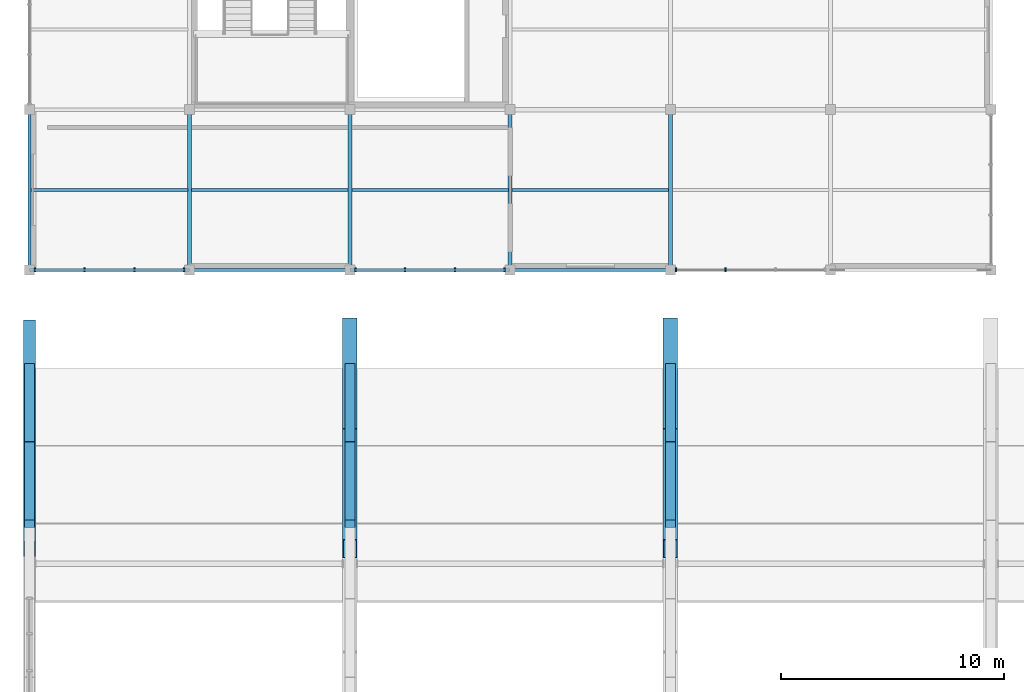
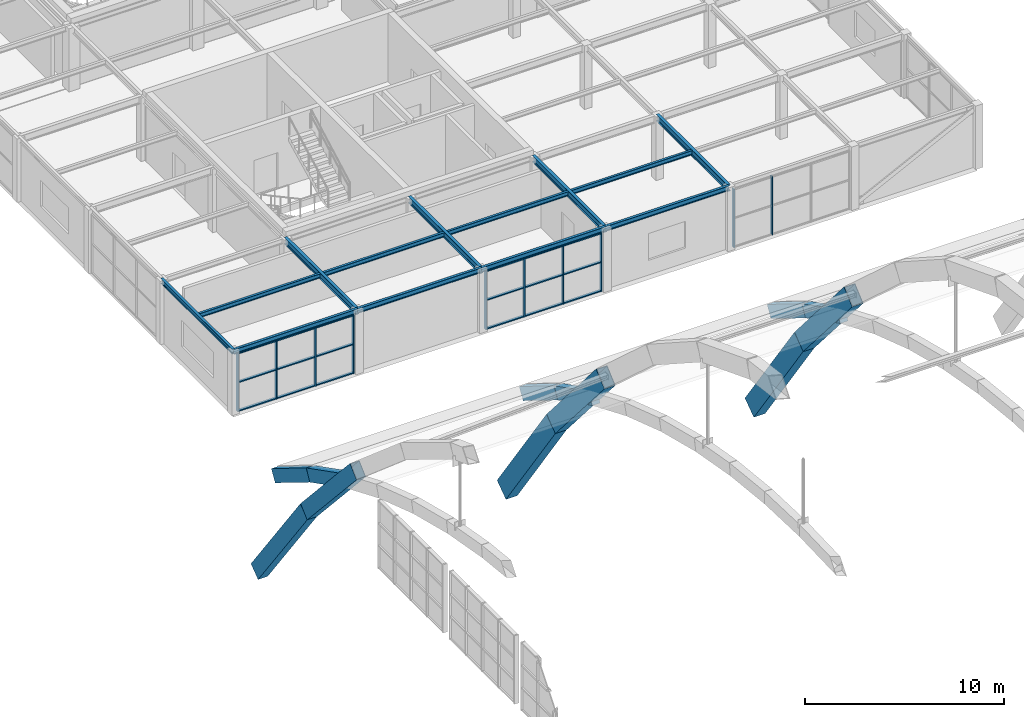
# One storey, part 15 of 64: 22 members, 19 beams, 3 elements without a shape of their own.
"""IFC4 building model written with IfcOpenShell, lengths in metres."""

from ifc_helpers import new_model, si_unit, direction, frame, origin, origin_2d, place, context, subcontext, project, spatial, rectangle, hollow_rectangle, i_section, extrude, material, material_profile, profile_set, type_object, element, aggregate, save


model = new_model("IFC4")

# Units and contexts
model_context = context("Model", 3, precision=1e-05, world=origin(), true_north=direction((0.0, 1.0)))
body_context = subcontext(model_context, "Body", "Model", "MODEL_VIEW")
ifc_project = project(units=[si_unit("LENGTHUNIT", "METRE"), si_unit("AREAUNIT", "SQUARE_METRE"), si_unit("VOLUMEUNIT", "CUBIC_METRE"), si_unit("PLANEANGLEUNIT", "RADIAN"), si_unit("MASSUNIT", "GRAM", prefix="KILO")], contexts=[model_context])

# Site, building, storey
site_placement = place(None, origin())
site = spatial("IfcSite", under=ifc_project, at=site_placement, CompositionType="ELEMENT")
building_placement = place(site_placement, origin())
building = spatial("IfcBuilding", under=site, at=building_placement, Name="Leyfeld Transit Interchange", CompositionType="ELEMENT")
storey_placement = place(building_placement, frame((0.0, 0.0, 9.60009765625)))
storey = spatial("IfcBuildingStorey", under=building, at=storey_placement, Name="L02", CompositionType="ELEMENT", Elevation=9.60009765625)

# Beams
ifc_material_1 = material(Name="Concrete C40/50", Category="concrete")
ifc_material_profile_1 = material_profile(ifc_material_1, rectangle(XDim=0.449951171875, YDim=0.75, at=origin_2d()), Name="RC 750x450 RIB")
ifc_profile_set_1 = profile_set([ifc_material_profile_1], Name="Concrete C40/50")
beam_type_1 = type_object("IfcBeamType", Name="BM-RIB-750x450", PredefinedType="USERDEFINED", material=ifc_profile_set_1)
beam_1_placement = place(storey_placement, frame((0.0, 53.39990234375, 2.81640625), z_axis=(0.0, 0.890316086289, -0.455343020694), x_axis=(-1.0, 0.0, 0.0)))
element("IfcBeam", 1, at=beam_1_placement, inside=storey, type_object=beam_type_1, Name="Concourse Vault Rib A1 Seg 15", ObjectType="ARCH_RIB", PredefinedType="USERDEFINED", context=body_context, shape_type="SweptSolid", body=[
    extrude(rectangle(XDim=0.449951171875, YDim=0.75, at=origin_2d()), origin(), (0.0, 0.0, 1.0), 3.93115234375),
])
beam_2_placement = place(storey_placement, frame((0.0, 56.89990234375, 1.0263671875), z_axis=(0.0, 0.850840137882, -0.525424647089), x_axis=(-1.0, 0.0, 0.0)))
element("IfcBeam", 2, at=beam_2_placement, inside=storey, type_object=beam_type_1, Name="Concourse Vault Rib A1 Seg 16", ObjectType="ARCH_RIB", PredefinedType="USERDEFINED", context=body_context, shape_type="SweptSolid", body=[
    extrude(rectangle(XDim=0.449951171875, YDim=0.75, at=origin_2d()), origin(), (0.0, 0.0, 1.0), 4.113525390625),
])
beam_3_placement = place(storey_placement, frame((14.39990234375, 53.39990234375, 2.81640625), z_axis=(0.0, 0.890316086289, -0.455343020694), x_axis=(-1.0, 0.0, 0.0)))
element("IfcBeam", 3, at=beam_3_placement, inside=storey, type_object=beam_type_1, Name="Concourse Vault Rib A2 Seg 15", ObjectType="ARCH_RIB", PredefinedType="USERDEFINED", context=body_context, shape_type="SweptSolid", body=[
    extrude(rectangle(XDim=0.449951171875, YDim=0.75, at=origin_2d()), origin(), (0.0, 0.0, 1.0), 3.93115234375),
])
beam_4_placement = place(storey_placement, frame((14.39990234375, 56.89990234375, 1.0263671875), z_axis=(0.0, 0.850840137882, -0.525424647089), x_axis=(-1.0, 0.0, 0.0)))
element("IfcBeam", 4, at=beam_4_placement, inside=storey, type_object=beam_type_1, Name="Concourse Vault Rib A2 Seg 16", ObjectType="ARCH_RIB", PredefinedType="USERDEFINED", context=body_context, shape_type="SweptSolid", body=[
    extrude(rectangle(XDim=0.449951171875, YDim=0.75, at=origin_2d()), origin(), (0.0, 0.0, 1.0), 4.113525390625),
])
beam_5_placement = place(storey_placement, frame((28.800048828125, 53.39990234375, 2.81640625), z_axis=(0.0, 0.890316086289, -0.455343020694), x_axis=(-1.0, 0.0, 0.0)))
element("IfcBeam", 5, at=beam_5_placement, inside=storey, type_object=beam_type_1, Name="Concourse Vault Rib A3 Seg 15", ObjectType="ARCH_RIB", PredefinedType="USERDEFINED", context=body_context, shape_type="SweptSolid", body=[
    extrude(rectangle(XDim=0.449951171875, YDim=0.75, at=origin_2d()), origin(), (0.0, 0.0, 1.0), 3.93115234375),
])
beam_6_placement = place(storey_placement, frame((28.800048828125, 56.89990234375, 1.0263671875), z_axis=(0.0, 0.850840137882, -0.525424647089), x_axis=(-1.0, 0.0, 0.0)))
element("IfcBeam", 6, at=beam_6_placement, inside=storey, type_object=beam_type_1, Name="Concourse Vault Rib A3 Seg 16", ObjectType="ARCH_RIB", PredefinedType="USERDEFINED", context=body_context, shape_type="SweptSolid", body=[
    extrude(rectangle(XDim=0.449951171875, YDim=0.75, at=origin_2d()), origin(), (0.0, 0.0, 1.0), 4.113525390625),
])
ifc_material_2 = material(Name="Steel S355J2", Category="steel")
ifc_material_profile_2 = material_profile(ifc_material_2, i_section(OverallWidth=0.135009765625, OverallDepth=0.27001953125, WebThickness=0.006591796875, FlangeThickness=0.01025390625, FilletRadius=0.014892578125, at=origin_2d()), Name="IPE 270")
ifc_profile_set_2 = profile_set([ifc_material_profile_2], Name="Steel S355J2")
beam_type_2 = type_object("IfcBeamType", Name="BM-STL-IPE270", PredefinedType="BEAM", material=ifc_profile_set_2)
beam_7_placement = place(storey_placement, frame((0.072021484375, 68.39990234375, 3.764892578125), z_axis=(1.0, 0.0, 0.0), x_axis=(0.0, 1.0, 0.0)))
element("IfcBeam", 7, at=beam_7_placement, inside=storey, type_object=beam_type_2, Name="Beam BM-L02-0001_0684-0071_0684", PredefinedType="BEAM", context=body_context, shape_type="SweptSolid", body=[
    extrude(i_section(OverallWidth=0.135009765625, OverallDepth=0.27001953125, WebThickness=0.006591796875, FlangeThickness=0.01025390625, FilletRadius=0.014892578125, at=origin_2d()), origin(), (0.0, 0.0, 1.0), 7.041015625),
])
for number, where, z_axis, x_axis, name in (
    (8, (7.287109375, 68.39990234375, 3.764892578125), (1.0, 0.0, 0.0), (0.0, 1.0, 0.0), "Beam BM-L02-0073_0684-0143_0684"),
    (9, (14.487060546875, 68.39990234375, 3.764892578125), (1.0, 0.0, 0.0), (0.0, 1.0, 0.0), "Beam BM-L02-0145_0684-0215_0684"),
    (10, (21.68701171875, 68.39990234375, 3.764892578125), (1.0, 0.0, 0.0), (0.0, 1.0, 0.0), "Beam BM-L02-0217_0684-0287_0684"),
):
    element("IfcBeam", number, at=place(storey_placement, frame(where, z_axis=z_axis, x_axis=x_axis)), inside=storey, type_object=beam_type_2, Name=name, PredefinedType="BEAM", context=body_context, shape_type="SweptSolid", body=[
        extrude(i_section(OverallWidth=0.135009765625, OverallDepth=0.27001953125, WebThickness=0.006591796875, FlangeThickness=0.01025390625, FilletRadius=0.014892578125, at=origin_2d()), origin(), (0.0, 0.0, 1.0), 7.02587890625),
    ])
ifc_material_profile_3 = material_profile(ifc_material_2, i_section(OverallWidth=0.14990234375, OverallDepth=0.300048828125, WebThickness=0.007080078125, FlangeThickness=0.0107421875, FilletRadius=0.014892578125, at=origin_2d()), Name="IPE 300")
ifc_profile_set_3 = profile_set([ifc_material_profile_3], Name="Steel S355J2")
beam_type_3 = type_object("IfcBeamType", Name="BM-STL-IPE300", PredefinedType="SPANDREL", material=ifc_profile_set_3)
for number, where, z_axis, x_axis, name in (
    (11, (0.0, 64.800048828125, 3.75), (0.0, 1.0, 0.0), (-1.0, 0.0, 0.0), "Beam BM-L02-0000_0648-0000_0720"),
    (12, (0.0, 64.800048828125, 3.75), (1.0, 0.0, 0.0), (0.0, 1.0, 0.0), "Beam BM-L02-0000_0648-0072_0648"),
    (13, (7.199951171875, 64.800048828125, 3.75), (1.0, 0.0, 0.0), (0.0, 1.0, 0.0), "Beam BM-L02-0072_0648-0144_0648"),
):
    element("IfcBeam", number, at=place(storey_placement, frame(where, z_axis=z_axis, x_axis=x_axis)), inside=storey, type_object=beam_type_3, Name=name, PredefinedType="SPANDREL", context=body_context, shape_type="SweptSolid", body=[
        extrude(i_section(OverallWidth=0.14990234375, OverallDepth=0.300048828125, WebThickness=0.007080078125, FlangeThickness=0.0107421875, FilletRadius=0.014892578125, at=origin_2d()), origin(), (0.0, 0.0, 1.0), 7.199951171875),
    ])
beam_8_placement = place(storey_placement, frame((14.39990234375, 64.800048828125, 3.75), z_axis=(1.0, 0.0, 0.0), x_axis=(0.0, 1.0, 0.0)))
element("IfcBeam", 14, at=beam_8_placement, inside=storey, type_object=beam_type_3, Name="Beam BM-L02-0144_0648-0216_0648", PredefinedType="SPANDREL", context=body_context, shape_type="SweptSolid", body=[
    extrude(i_section(OverallWidth=0.14990234375, OverallDepth=0.300048828125, WebThickness=0.007080078125, FlangeThickness=0.0107421875, FilletRadius=0.014892578125, at=origin_2d()), origin(), (0.0, 0.0, 1.0), 7.2001953125),
])
beam_9_placement = place(storey_placement, frame((21.60009765625, 64.800048828125, 3.75), z_axis=(1.0, 0.0, 0.0), x_axis=(0.0, 1.0, 0.0)))
element("IfcBeam", 15, at=beam_9_placement, inside=storey, type_object=beam_type_3, Name="Beam BM-L02-0216_0648-0288_0648", PredefinedType="SPANDREL", context=body_context, shape_type="SweptSolid", body=[
    extrude(i_section(OverallWidth=0.14990234375, OverallDepth=0.300048828125, WebThickness=0.007080078125, FlangeThickness=0.0107421875, FilletRadius=0.014892578125, at=origin_2d()), origin(), (0.0, 0.0, 1.0), 7.199951171875),
])
ifc_material_profile_4 = material_profile(ifc_material_2, i_section(OverallWidth=0.179931640625, OverallDepth=0.39990234375, WebThickness=0.008544921875, FlangeThickness=0.013427734375, FilletRadius=0.02099609375, at=origin_2d()), Name="IPE 400")
ifc_profile_set_4 = profile_set([ifc_material_profile_4], Name="Steel S355J2")
beam_type_4 = type_object("IfcBeamType", Name="BM-STL-IPE400", PredefinedType="BEAM", material=ifc_profile_set_4)
for number, where, z_axis, x_axis, name in (
    (16, (7.199951171875, 64.800048828125, 3.699951171875), (0.0, 1.0, 0.0), (-1.0, 0.0, 0.0), "Beam BM-L02-0072_0648-0072_0720"),
    (17, (14.39990234375, 64.800048828125, 3.699951171875), (0.0, 1.0, 0.0), (-1.0, 0.0, 0.0), "Beam BM-L02-0144_0648-0144_0720"),
    (18, (21.60009765625, 64.800048828125, 3.699951171875), (0.0, 1.0, 0.0), (-1.0, 0.0, 0.0), "Beam BM-L02-0216_0648-0216_0720"),
    (19, (28.800048828125, 64.800048828125, 3.699951171875), (0.0, 1.0, 0.0), (-1.0, 0.0, 0.0), "Beam BM-L02-0288_0648-0288_0720"),
):
    element("IfcBeam", number, at=place(storey_placement, frame(where, z_axis=z_axis, x_axis=x_axis)), inside=storey, type_object=beam_type_4, Name=name, PredefinedType="BEAM", context=body_context, shape_type="SweptSolid", body=[
        extrude(i_section(OverallWidth=0.179931640625, OverallDepth=0.39990234375, WebThickness=0.008544921875, FlangeThickness=0.013427734375, FilletRadius=0.02099609375, at=origin_2d()), origin(), (0.0, 0.0, 1.0), 7.199951171875),
    ])

# Curtain wall, members
ifc_material_3 = material(Name="Anodised aluminium EN AW-6060 T66", Category="aluminium")
curtain_wall_type = type_object("IfcCurtainWallType", Name="CW-SYS-CYC-7200", PredefinedType="NOTDEFINED", material=ifc_material_3)
curtain_wall_1_placement = place(storey_placement, origin())
curtain_wall_1 = element("IfcCurtainWall", 20, at=curtain_wall_1_placement, inside=storey, type_object=curtain_wall_type, Name="Curtain Wall CW-L02-107", PredefinedType="NOTDEFINED")
ifc_material_profile_5 = material_profile(ifc_material_3, rectangle(XDim=0.06494140625, YDim=0.179931640625, at=origin_2d()), Name="CW-M 65x180")
ifc_profile_set_5 = profile_set([ifc_material_profile_5], Name="Anodised aluminium EN AW-6060 T66")
member_type_1 = type_object("IfcMemberType", Name="CW-MUL-150x65", PredefinedType="MULLION", material=ifc_profile_set_5)
member_1_placement = place(storey_placement, frame((31.271728515625, 64.800048828125, 0.0), z_axis=(0.0, 0.0, 1.0), x_axis=(-1.0, 0.0, 0.0)))
member_1 = element("IfcMember", 21, at=member_1_placement, type_object=member_type_1, Name="Curtain Mullion CW-L02-107-M03", PredefinedType="MULLION", context=body_context, shape_type="SweptSolid", body=[
    extrude(rectangle(XDim=0.06494140625, YDim=0.179931640625, at=origin_2d()), origin(), (0.0, 0.0, 1.0), 3.599853515625),
])
member_2_placement = place(storey_placement, frame((29.047607421875, 64.800048828125, 0.0), z_axis=(0.0, 0.0, 1.0), x_axis=(-1.0, 0.0, 0.0)))
member_2 = element("IfcMember", 22, at=member_2_placement, type_object=member_type_1, Name="Curtain Mullion CW-L02-107-M04", PredefinedType="MULLION", context=body_context, shape_type="SweptSolid", body=[
    extrude(rectangle(XDim=0.06494140625, YDim=0.179931640625, at=origin_2d()), origin(), (0.0, 0.0, 1.0), 3.599853515625),
])
aggregate(curtain_wall_1, [member_1, member_2])

curtain_wall_2_placement = place(storey_placement, origin())
curtain_wall_2 = element("IfcCurtainWall", 23, at=curtain_wall_2_placement, inside=storey, type_object=curtain_wall_type, Name="Curtain Wall CW-L02-108", PredefinedType="NOTDEFINED")
member_3_placement = place(storey_placement, frame((21.3525390625, 64.800048828125, 0.0), z_axis=(0.0, 0.0, 1.0), x_axis=(-1.0, 0.0, 0.0)))
member_3 = element("IfcMember", 24, at=member_3_placement, type_object=member_type_1, Name="Curtain Mullion CW-L02-108-M01", PredefinedType="MULLION", context=body_context, shape_type="SweptSolid", body=[
    extrude(rectangle(XDim=0.06494140625, YDim=0.179931640625, at=origin_2d()), origin(), (0.0, 0.0, 1.0), 3.599853515625),
])
member_4_placement = place(storey_placement, frame((19.12841796875, 64.800048828125, 0.0), z_axis=(0.0, 0.0, 1.0), x_axis=(-1.0, 0.0, 0.0)))
member_4 = element("IfcMember", 25, at=member_4_placement, type_object=member_type_1, Name="Curtain Mullion CW-L02-108-M02", PredefinedType="MULLION", context=body_context, shape_type="SweptSolid", body=[
    extrude(rectangle(XDim=0.06494140625, YDim=0.179931640625, at=origin_2d()), origin(), (0.0, 0.0, 1.0), 3.599853515625),
])
member_5_placement = place(storey_placement, frame((16.87158203125, 64.800048828125, 0.0), z_axis=(0.0, 0.0, 1.0), x_axis=(-1.0, 0.0, 0.0)))
member_5 = element("IfcMember", 26, at=member_5_placement, type_object=member_type_1, Name="Curtain Mullion CW-L02-108-M03", PredefinedType="MULLION", context=body_context, shape_type="SweptSolid", body=[
    extrude(rectangle(XDim=0.06494140625, YDim=0.179931640625, at=origin_2d()), origin(), (0.0, 0.0, 1.0), 3.599853515625),
])
member_6_placement = place(storey_placement, frame((14.6474609375, 64.800048828125, 0.0), z_axis=(0.0, 0.0, 1.0), x_axis=(-1.0, 0.0, 0.0)))
member_6 = element("IfcMember", 27, at=member_6_placement, type_object=member_type_1, Name="Curtain Mullion CW-L02-108-M04", PredefinedType="MULLION", context=body_context, shape_type="SweptSolid", body=[
    extrude(rectangle(XDim=0.06494140625, YDim=0.179931640625, at=origin_2d()), origin(), (0.0, 0.0, 1.0), 3.599853515625),
])

curtain_wall_3_placement = place(storey_placement, origin())
curtain_wall_3 = element("IfcCurtainWall", 28, at=curtain_wall_3_placement, inside=storey, type_object=curtain_wall_type, Name="Curtain Wall CW-L02-109", PredefinedType="NOTDEFINED")
member_7_placement = place(storey_placement, frame((6.952392578125, 64.800048828125, 0.0), z_axis=(0.0, 0.0, 1.0), x_axis=(-1.0, 0.0, 0.0)))
member_7 = element("IfcMember", 29, at=member_7_placement, type_object=member_type_1, Name="Curtain Mullion CW-L02-109-M01", PredefinedType="MULLION", context=body_context, shape_type="SweptSolid", body=[
    extrude(rectangle(XDim=0.06494140625, YDim=0.179931640625, at=origin_2d()), origin(), (0.0, 0.0, 1.0), 3.599853515625),
])
member_8_placement = place(storey_placement, frame((4.728271484375, 64.800048828125, 0.0), z_axis=(0.0, 0.0, 1.0), x_axis=(-1.0, 0.0, 0.0)))
member_8 = element("IfcMember", 30, at=member_8_placement, type_object=member_type_1, Name="Curtain Mullion CW-L02-109-M02", PredefinedType="MULLION", context=body_context, shape_type="SweptSolid", body=[
    extrude(rectangle(XDim=0.06494140625, YDim=0.179931640625, at=origin_2d()), origin(), (0.0, 0.0, 1.0), 3.599853515625),
])
member_9_placement = place(storey_placement, frame((2.4716796875, 64.800048828125, 0.0), z_axis=(0.0, 0.0, 1.0), x_axis=(-1.0, 0.0, 0.0)))
member_9 = element("IfcMember", 31, at=member_9_placement, type_object=member_type_1, Name="Curtain Mullion CW-L02-109-M03", PredefinedType="MULLION", context=body_context, shape_type="SweptSolid", body=[
    extrude(rectangle(XDim=0.06494140625, YDim=0.179931640625, at=origin_2d()), origin(), (0.0, 0.0, 1.0), 3.599853515625),
])
member_10_placement = place(storey_placement, frame((0.24755859375, 64.800048828125, 0.0), z_axis=(0.0, 0.0, 1.0), x_axis=(-1.0, 0.0, 0.0)))
member_10 = element("IfcMember", 32, at=member_10_placement, type_object=member_type_1, Name="Curtain Mullion CW-L02-109-M04", PredefinedType="MULLION", context=body_context, shape_type="SweptSolid", body=[
    extrude(rectangle(XDim=0.06494140625, YDim=0.179931640625, at=origin_2d()), origin(), (0.0, 0.0, 1.0), 3.599853515625),
])

# Member
ifc_material_profile_6 = material_profile(ifc_material_3, rectangle(XDim=0.14990234375, YDim=0.06494140625, at=origin_2d()), Name="CW-TRN-135x65")
ifc_profile_set_6 = profile_set([ifc_material_profile_6], Name="Anodised aluminium EN AW-6060 T66")
member_type_2 = type_object("IfcMemberType", Name="CW-TRN-135x65", PredefinedType="USERDEFINED", material=ifc_profile_set_6)
member_11_placement = place(storey_placement, frame((21.385009765625, 64.800048828125, 0.032470703125), z_axis=(-1.0, 0.0, 0.0), x_axis=(0.0, -1.0, 0.0)))
member_11 = element("IfcMember", 33, at=member_11_placement, type_object=member_type_2, Name="Curtain Transom CW-L02-108-T01", ObjectType="TRANSOM", PredefinedType="USERDEFINED", context=body_context, shape_type="SweptSolid", body=[
    extrude(rectangle(XDim=0.14990234375, YDim=0.06494140625, at=origin_2d()), origin(), (0.0, 0.0, 1.0), 6.77001953125),
])

member_12_placement = place(storey_placement, frame((21.385009765625, 64.800048828125, 1.7998046875), z_axis=(-1.0, 0.0, 0.0), x_axis=(0.0, -1.0, 0.0)))
member_12 = element("IfcMember", 34, at=member_12_placement, type_object=member_type_2, Name="Curtain Transom CW-L02-108-T02", ObjectType="TRANSOM", PredefinedType="USERDEFINED", context=body_context, shape_type="SweptSolid", body=[
    extrude(rectangle(XDim=0.14990234375, YDim=0.06494140625, at=origin_2d()), origin(), (0.0, 0.0, 1.0), 6.77001953125),
])

member_13_placement = place(storey_placement, frame((21.385009765625, 64.800048828125, 3.5673828125), z_axis=(-1.0, 0.0, 0.0), x_axis=(0.0, -1.0, 0.0)))
member_13 = element("IfcMember", 35, at=member_13_placement, type_object=member_type_2, Name="Curtain Transom CW-L02-108-T03", ObjectType="TRANSOM", PredefinedType="USERDEFINED", context=body_context, shape_type="SweptSolid", body=[
    extrude(rectangle(XDim=0.14990234375, YDim=0.06494140625, at=origin_2d()), origin(), (0.0, 0.0, 1.0), 6.77001953125),
])

aggregate(curtain_wall_2, [member_3, member_4, member_5, member_6, member_11, member_12, member_13])

member_14_placement = place(storey_placement, frame((6.985107421875, 64.800048828125, 0.032470703125), z_axis=(-1.0, 0.0, 0.0), x_axis=(0.0, -1.0, 0.0)))
member_14 = element("IfcMember", 36, at=member_14_placement, type_object=member_type_2, Name="Curtain Transom CW-L02-109-T01", ObjectType="TRANSOM", PredefinedType="USERDEFINED", context=body_context, shape_type="SweptSolid", body=[
    extrude(rectangle(XDim=0.14990234375, YDim=0.06494140625, at=origin_2d()), origin(), (0.0, 0.0, 1.0), 6.77001953125),
])

member_15_placement = place(storey_placement, frame((6.985107421875, 64.800048828125, 1.7998046875), z_axis=(-1.0, 0.0, 0.0), x_axis=(0.0, -1.0, 0.0)))
member_15 = element("IfcMember", 37, at=member_15_placement, type_object=member_type_2, Name="Curtain Transom CW-L02-109-T02", ObjectType="TRANSOM", PredefinedType="USERDEFINED", context=body_context, shape_type="SweptSolid", body=[
    extrude(rectangle(XDim=0.14990234375, YDim=0.06494140625, at=origin_2d()), origin(), (0.0, 0.0, 1.0), 6.77001953125),
])

member_16_placement = place(storey_placement, frame((6.985107421875, 64.800048828125, 3.5673828125), z_axis=(-1.0, 0.0, 0.0), x_axis=(0.0, -1.0, 0.0)))
member_16 = element("IfcMember", 38, at=member_16_placement, type_object=member_type_2, Name="Curtain Transom CW-L02-109-T03", ObjectType="TRANSOM", PredefinedType="USERDEFINED", context=body_context, shape_type="SweptSolid", body=[
    extrude(rectangle(XDim=0.14990234375, YDim=0.06494140625, at=origin_2d()), origin(), (0.0, 0.0, 1.0), 6.77001953125),
])

aggregate(curtain_wall_3, [member_7, member_8, member_9, member_10, member_14, member_15, member_16])

# Members
ifc_material_4 = material(Name="Steel S355J2 - Ochre Arch", Category="steel")
ifc_material_profile_7 = material_profile(ifc_material_4, hollow_rectangle(XDim=0.64990234375, YDim=1.10009765625, WallThickness=0.035888671875, at=origin_2d()), Name="RHS 1100x650x36")
ifc_profile_set_7 = profile_set([ifc_material_profile_7], Name="Steel S355J2 - Ochre Arch")
member_type_3 = type_object("IfcMemberType", Name="MEM-ARCH-1100", PredefinedType="USERDEFINED", material=ifc_profile_set_7)
member_17_placement = place(storey_placement, frame((14.39990234375, 52.2666015625, 4.733154296875), z_axis=(0.0, 0.652068011337, -0.758160476807), x_axis=(-1.0, 0.0, 0.0)))
element("IfcMember", 39, at=member_17_placement, inside=storey, type_object=member_type_3, Name="Primary Steel Arch AR-01 Seg 11", ObjectType="ARCH_SEGMENT", PredefinedType="USERDEFINED", context=body_context, shape_type="SweptSolid", body=[
    extrude(hollow_rectangle(XDim=0.64990234375, YDim=1.10009765625, WallThickness=0.035888671875, at=origin_2d()), origin(), (0.0, 0.0, 1.0), 7.616943359375),
])
member_18_placement = place(storey_placement, frame((14.39990234375, 57.2333984375, -1.041748046875), z_axis=(0.0, 0.575459771691, -0.817830086977), x_axis=(-1.0, 0.0, 0.0)))
element("IfcMember", 40, at=member_18_placement, inside=storey, type_object=member_type_3, Name="Primary Steel Arch AR-01 Seg 12", ObjectType="ARCH_SEGMENT", PredefinedType="USERDEFINED", context=body_context, shape_type="SweptSolid", body=[
    extrude(hollow_rectangle(XDim=0.64990234375, YDim=1.10009765625, WallThickness=0.035888671875, at=origin_2d()), origin(), (0.0, 0.0, 1.0), 8.630615234375),
])
member_19_placement = place(storey_placement, frame((28.800048828125, 52.2666015625, 4.733154296875), z_axis=(0.0, 0.652068011337, -0.758160476807), x_axis=(-1.0, 0.0, 0.0)))
element("IfcMember", 41, at=member_19_placement, inside=storey, type_object=member_type_3, Name="Primary Steel Arch AR-02 Seg 11", ObjectType="ARCH_SEGMENT", PredefinedType="USERDEFINED", context=body_context, shape_type="SweptSolid", body=[
    extrude(hollow_rectangle(XDim=0.64990234375, YDim=1.10009765625, WallThickness=0.035888671875, at=origin_2d()), origin(), (0.0, 0.0, 1.0), 7.616943359375),
])
member_20_placement = place(storey_placement, frame((28.800048828125, 57.2333984375, -1.041748046875), z_axis=(0.0, 0.575459771691, -0.817830086977), x_axis=(-1.0, 0.0, 0.0)))
element("IfcMember", 42, at=member_20_placement, inside=storey, type_object=member_type_3, Name="Primary Steel Arch AR-02 Seg 12", ObjectType="ARCH_SEGMENT", PredefinedType="USERDEFINED", context=body_context, shape_type="SweptSolid", body=[
    extrude(hollow_rectangle(XDim=0.64990234375, YDim=1.10009765625, WallThickness=0.035888671875, at=origin_2d()), origin(), (0.0, 0.0, 1.0), 8.630615234375),
])
ifc_material_profile_8 = material_profile(ifc_material_4, hollow_rectangle(XDim=0.550048828125, YDim=0.89990234375, WallThickness=0.031982421875, at=origin_2d()), Name="RHS 900x550x32")
ifc_profile_set_8 = profile_set([ifc_material_profile_8], Name="Steel S355J2 - Ochre Arch")
member_type_4 = type_object("IfcMemberType", Name="MEM-ARCH-900", PredefinedType="USERDEFINED", material=ifc_profile_set_8)
member_21_placement = place(storey_placement, frame((0.0, 52.2666015625, 4.06640625), z_axis=(0.0, 0.671906380628, -0.740636088556), x_axis=(-1.0, 0.0, 0.0)))
element("IfcMember", 43, at=member_21_placement, inside=storey, type_object=member_type_4, Name="Primary Steel Arch GP-W Seg 11", ObjectType="ARCH_SEGMENT", PredefinedType="USERDEFINED", context=body_context, shape_type="SweptSolid", body=[
    extrude(hollow_rectangle(XDim=0.550048828125, YDim=0.89990234375, WallThickness=0.031982421875, at=origin_2d()), origin(), (0.0, 0.0, 1.0), 7.39208984375),
])
member_22_placement = place(storey_placement, frame((0.0, 57.2333984375, -1.408447265625), z_axis=(0.0, 0.595984669324, -0.802995811901), x_axis=(-1.0, 0.0, 0.0)))
element("IfcMember", 44, at=member_22_placement, inside=storey, type_object=member_type_4, Name="Primary Steel Arch GP-W Seg 12", ObjectType="ARCH_SEGMENT", PredefinedType="USERDEFINED", context=body_context, shape_type="SweptSolid", body=[
    extrude(hollow_rectangle(XDim=0.550048828125, YDim=0.89990234375, WallThickness=0.031982421875, at=origin_2d()), origin(), (0.0, 0.0, 1.0), 8.333251953125),
])

save(model, "model.ifc")
